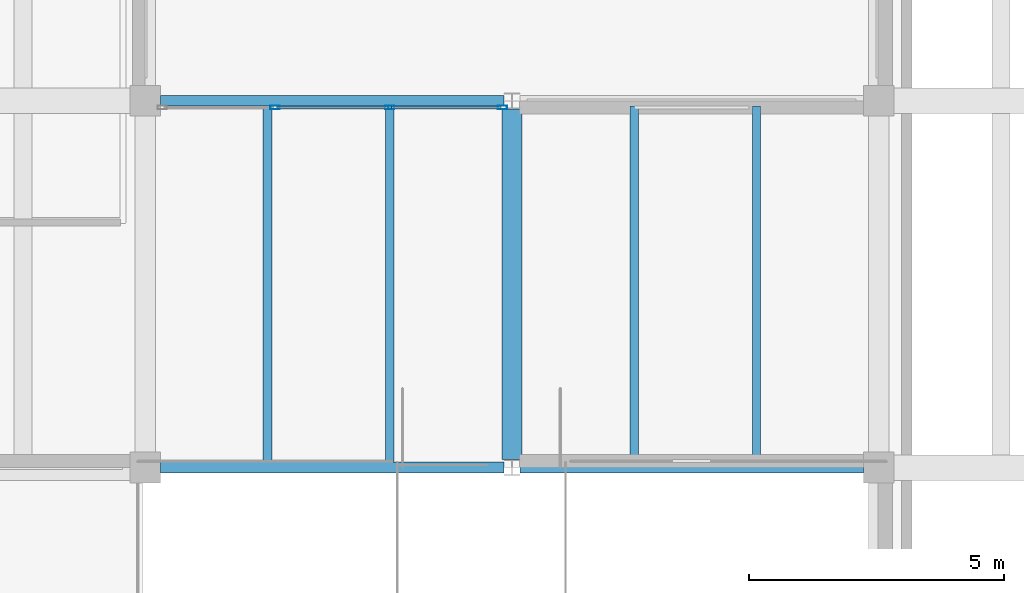
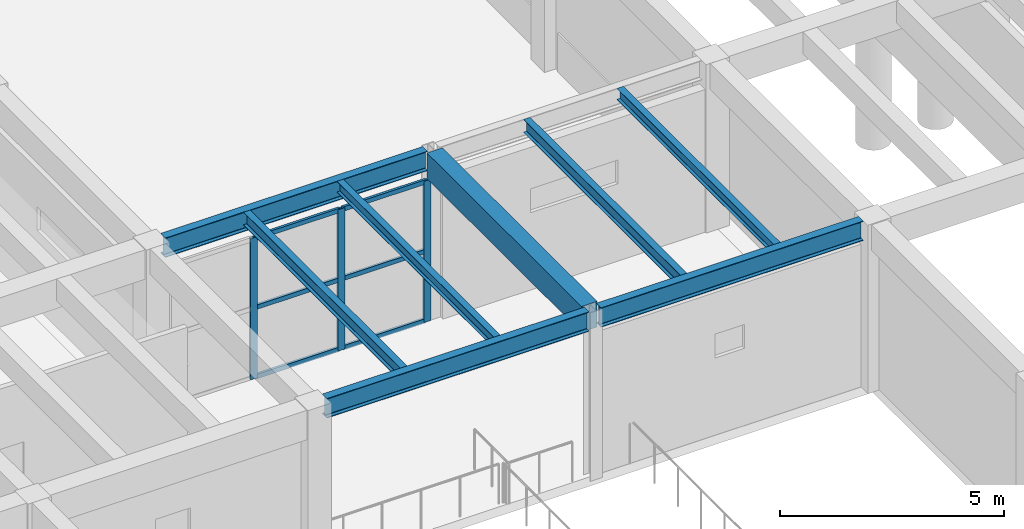
# One storey, part 30 of 155: 9 members, 8 beams, 1 element without a shape of its own.
"""IFC4 building model written with IfcOpenShell, lengths in metres."""

from ifc_helpers import new_model, si_unit, direction, frame, origin, origin_2d, place, context, subcontext, project, spatial, rectangle, hollow_rectangle, i_section, extrude, material, material_profile, profile_set, type_object, element, aggregate, save


model = new_model("IFC4")

# Units and contexts
model_context = context("Model", 3, precision=1e-05, world=origin(), true_north=direction((0.0, 1.0)))
body_context = subcontext(model_context, "Body", "Model", "MODEL_VIEW")
ifc_project = project(units=[si_unit("LENGTHUNIT", "METRE"), si_unit("AREAUNIT", "SQUARE_METRE"), si_unit("VOLUMEUNIT", "CUBIC_METRE"), si_unit("PLANEANGLEUNIT", "RADIAN"), si_unit("MASSUNIT", "GRAM", prefix="KILO")], contexts=[model_context])

# Site, building, storey
site_placement = place(None, origin())
site = spatial("IfcSite", under=ifc_project, at=site_placement, CompositionType="ELEMENT")
building_placement = place(site_placement, origin())
building = spatial("IfcBuilding", under=site, at=building_placement, Name="Bramvelor Terrace Health Centre", CompositionType="ELEMENT")
storey_placement = place(building_placement, origin())
storey = spatial("IfcBuildingStorey", under=building, at=storey_placement, Name="L01", CompositionType="ELEMENT", Elevation=0.0)

# Beams
ifc_material_1 = material(Name="Concrete C40/50", Category="concrete")
ifc_material_profile_1 = material_profile(ifc_material_1, rectangle(XDim=0.39990234375, YDim=0.699951171875, at=origin_2d()), Name="RC 400x700")
ifc_profile_set_1 = profile_set([ifc_material_profile_1], Name="Concrete C40/50")
beam_type_1 = type_object("IfcBeamType", Name="BM-RC-G700", PredefinedType="BEAM", material=ifc_profile_set_1)
beam_placement = place(storey_placement, frame((36.0, 50.55712890625, 4.22998046875), z_axis=(0.0, 1.0, 0.0), x_axis=(-1.0, 0.0, 0.0)))
element("IfcBeam", 1, at=beam_placement, inside=storey, type_object=beam_type_1, Name="L01 Floor Girder", PredefinedType="BEAM", context=body_context, shape_type="SweptSolid", body=[
    extrude(rectangle(XDim=0.39990234375, YDim=0.699951171875, at=origin_2d()), origin(), (0.0, 0.0, 1.0), 6.8857421875),
])
ifc_material_2 = material(Name="Steel S355J2", Category="steel")
ifc_material_profile_2 = material_profile(ifc_material_2, i_section(OverallWidth=0.1650390625, OverallDepth=0.303466796875, WebThickness=0.006103515625, FlangeThickness=0.01025390625, FilletRadius=0.0087890625, at=origin_2d()), Name="UB 305x165x40")
ifc_profile_set_2 = profile_set([ifc_material_profile_2], Name="Steel S355J2")
beam_type_2 = type_object("IfcBeamType", Name="BM-STL-UB305", PredefinedType="JOIST", material=ifc_profile_set_2)
for number, where, z_axis, x_axis, name in (
    (2, (33.60009765625, 50.504638671875, 4.42822265625), (0.0, 1.0, 0.0), (-1.0, 0.0, 0.0), "L01 Secondary Floor Joist"),
    (3, (40.800048828125, 50.504638671875, 4.42822265625), (0.0, 1.0, 0.0), (-1.0, 0.0, 0.0), "L01 Secondary Floor Joist"),
):
    element("IfcBeam", number, at=place(storey_placement, frame(where, z_axis=z_axis, x_axis=x_axis)), inside=storey, type_object=beam_type_2, Name=name, PredefinedType="JOIST", context=body_context, shape_type="SweptSolid", body=[
        extrude(i_section(OverallWidth=0.1650390625, OverallDepth=0.303466796875, WebThickness=0.006103515625, FlangeThickness=0.01025390625, FilletRadius=0.0087890625, at=origin_2d()), origin(), (0.0, 0.0, 1.0), 6.99072265625),
    ])
ifc_material_3 = material(Name="Steel S355J2", Category="steel")
ifc_material_profile_3 = material_profile(ifc_material_3, i_section(OverallWidth=0.17138671875, OverallDepth=0.35498046875, WebThickness=0.00732421875, FlangeThickness=0.011474609375, FilletRadius=0.01025390625, at=origin_2d()), Name="UB 356x171x51")
ifc_profile_set_3 = profile_set([ifc_material_profile_3], Name="Steel S355J2")
beam_type_3 = type_object("IfcBeamType", Name="BM-STL-UB356", PredefinedType="JOIST", material=ifc_profile_set_3)
for number, where, z_axis, x_axis, name in (
    (4, (31.199951171875, 50.504638671875, 4.402587890625), (0.0, 1.0, 0.0), (-1.0, 0.0, 0.0), "L01 Secondary Floor Joist"),
    (5, (38.39990234375, 50.504638671875, 4.402587890625), (0.0, 1.0, 0.0), (-1.0, 0.0, 0.0), "L01 Secondary Floor Joist"),
):
    element("IfcBeam", number, at=place(storey_placement, frame(where, z_axis=z_axis, x_axis=x_axis)), inside=storey, type_object=beam_type_3, Name=name, PredefinedType="JOIST", context=body_context, shape_type="SweptSolid", body=[
        extrude(i_section(OverallWidth=0.17138671875, OverallDepth=0.35498046875, WebThickness=0.00732421875, FlangeThickness=0.011474609375, FilletRadius=0.01025390625, at=origin_2d()), origin(), (0.0, 0.0, 1.0), 6.99072265625),
    ])
ifc_material_4 = material(Name="Steel S355J2", Category="steel")
ifc_material_profile_4 = material_profile(ifc_material_4, i_section(OverallWidth=0.209228515625, OverallDepth=0.533203125, WebThickness=0.010009765625, FlangeThickness=0.015625, FilletRadius=0.0126953125, at=origin_2d()), Name="UB 533x210x92")
ifc_profile_set_4 = profile_set([ifc_material_profile_4], Name="Steel S355J2")
beam_type_4 = type_object("IfcBeamType", Name="BM-STL-UB533", PredefinedType="BEAM", material=ifc_profile_set_4)
for number, where, z_axis, x_axis, name in (
    (6, (29.10009765625, 50.39990234375, 4.3134765625), (1.0, 0.0, 0.0), (0.0, 1.0, 0.0), "L01 Floor Girder"),
    (7, (29.10009765625, 57.60009765625, 4.3134765625), (1.0, 0.0, 0.0), (0.0, 1.0, 0.0), "L01 Floor Girder"),
    (8, (36.15380859375, 50.39990234375, 4.3134765625), (1.0, 0.0, 0.0), (0.0, 1.0, 0.0), "L01 Floor Girder"),
):
    element("IfcBeam", number, at=place(storey_placement, frame(where, z_axis=z_axis, x_axis=x_axis)), inside=storey, type_object=beam_type_4, Name=name, PredefinedType="BEAM", context=body_context, shape_type="SweptSolid", body=[
        extrude(i_section(OverallWidth=0.209228515625, OverallDepth=0.533203125, WebThickness=0.010009765625, FlangeThickness=0.015625, FilletRadius=0.0126953125, at=origin_2d()), origin(), (0.0, 0.0, 1.0), 6.74609375),
    ])

# Curtain wall, members
ifc_material_5 = material(Name="Anodized aluminium and double low-E glass", Category="aluminium")
curtain_wall_type = type_object("IfcCurtainWallType", Name="CW-SYS-04", PredefinedType="NOTDEFINED", material=ifc_material_5)
curtain_wall_placement = place(storey_placement, origin())
curtain_wall = element("IfcCurtainWall", 9, at=curtain_wall_placement, inside=storey, type_object=curtain_wall_type, Name="L01 Unitized Curtain Wall 11", PredefinedType="NOTDEFINED")
ifc_material_6 = material(Name="Anodized aluminium 6063-T6", Category="aluminium")
ifc_material_profile_5 = material_profile(ifc_material_6, hollow_rectangle(XDim=0.074951171875, YDim=0.179931640625, WallThickness=0.00341796875, at=origin_2d()), Name="ALU-MUL 75x180x3.5")
ifc_profile_set_5 = profile_set([ifc_material_profile_5], Name="Anodized aluminium 6063-T6")
member_type_1 = type_object("IfcMemberType", Name="CW-MUL-65x180", PredefinedType="MULLION", material=ifc_profile_set_5)
member_1_placement = place(storey_placement, frame((31.34716796875, 57.469970703125, 0.0), z_axis=(0.0, 0.0, 1.0), x_axis=(0.0, 1.0, 0.0)))
member_1 = element("IfcMember", 10, at=member_1_placement, type_object=member_type_1, Name="CW-04 mullion 2", PredefinedType="MULLION", context=body_context, shape_type="SweptSolid", body=[
    extrude(hollow_rectangle(XDim=0.074951171875, YDim=0.179931640625, WallThickness=0.00341796875, at=origin_2d()), origin(), (0.0, 0.0, 1.0), 3.840087890625),
])
member_2_placement = place(storey_placement, frame((33.59912109375, 57.469970703125, 0.0), z_axis=(0.0, 0.0, 1.0), x_axis=(0.0, 1.0, 0.0)))
member_2 = element("IfcMember", 11, at=member_2_placement, type_object=member_type_1, Name="CW-04 mullion 3", PredefinedType="MULLION", context=body_context, shape_type="SweptSolid", body=[
    extrude(hollow_rectangle(XDim=0.074951171875, YDim=0.179931640625, WallThickness=0.00341796875, at=origin_2d()), origin(), (0.0, 0.0, 1.0), 3.840087890625),
])
member_3_placement = place(storey_placement, frame((35.813720703125, 57.469970703125, 0.0), z_axis=(0.0, 0.0, 1.0), x_axis=(0.0, 1.0, 0.0)))
member_3 = element("IfcMember", 12, at=member_3_placement, type_object=member_type_1, Name="CW-04 mullion 4", PredefinedType="MULLION", context=body_context, shape_type="SweptSolid", body=[
    extrude(hollow_rectangle(XDim=0.074951171875, YDim=0.179931640625, WallThickness=0.00341796875, at=origin_2d()), origin(), (0.0, 0.0, 1.0), 3.840087890625),
])
ifc_material_7 = material(Name="Anodized aluminium 6063-T6", Category="aluminium")
ifc_material_profile_6 = material_profile(ifc_material_7, hollow_rectangle(XDim=0.06494140625, YDim=0.1201171875, WallThickness=0.0029296875, at=origin_2d()), Name="ALU-TRN 65x120x3.0")
ifc_profile_set_6 = profile_set([ifc_material_profile_6], Name="Anodized aluminium 6063-T6")
member_type_2 = type_object("IfcMemberType", Name="CW-TRN-65x150", PredefinedType="USERDEFINED", material=ifc_profile_set_6)
member_4_placement = place(storey_placement, frame((31.384521484375, 57.469970703125, 0.032470703125), z_axis=(1.0, 0.0, 0.0), x_axis=(0.0, 1.0, 0.0)))
member_4 = element("IfcMember", 13, at=member_4_placement, type_object=member_type_2, Name="CW-04 transom 2.1", ObjectType="TRANSOM", PredefinedType="USERDEFINED", context=body_context, shape_type="SweptSolid", body=[
    extrude(hollow_rectangle(XDim=0.06494140625, YDim=0.1201171875, WallThickness=0.0029296875, at=origin_2d()), origin(), (0.0, 0.0, 1.0), 2.17724609375),
])
member_5_placement = place(storey_placement, frame((31.384521484375, 57.469970703125, 1.919921875), z_axis=(1.0, 0.0, 0.0), x_axis=(0.0, 1.0, 0.0)))
member_5 = element("IfcMember", 14, at=member_5_placement, type_object=member_type_2, Name="CW-04 transom 2.2", ObjectType="TRANSOM", PredefinedType="USERDEFINED", context=body_context, shape_type="SweptSolid", body=[
    extrude(hollow_rectangle(XDim=0.06494140625, YDim=0.1201171875, WallThickness=0.0029296875, at=origin_2d()), origin(), (0.0, 0.0, 1.0), 2.17724609375),
])
member_6_placement = place(storey_placement, frame((31.384521484375, 57.469970703125, 3.8076171875), z_axis=(1.0, 0.0, 0.0), x_axis=(0.0, 1.0, 0.0)))
member_6 = element("IfcMember", 15, at=member_6_placement, type_object=member_type_2, Name="CW-04 transom 2.3", ObjectType="TRANSOM", PredefinedType="USERDEFINED", context=body_context, shape_type="SweptSolid", body=[
    extrude(hollow_rectangle(XDim=0.06494140625, YDim=0.1201171875, WallThickness=0.0029296875, at=origin_2d()), origin(), (0.0, 0.0, 1.0), 2.17724609375),
])
member_7_placement = place(storey_placement, frame((33.63671875, 57.469970703125, 0.032470703125), z_axis=(1.0, 0.0, 0.0), x_axis=(0.0, 1.0, 0.0)))
member_7 = element("IfcMember", 16, at=member_7_placement, type_object=member_type_2, Name="CW-04 transom 3.1", ObjectType="TRANSOM", PredefinedType="USERDEFINED", context=body_context, shape_type="SweptSolid", body=[
    extrude(hollow_rectangle(XDim=0.06494140625, YDim=0.1201171875, WallThickness=0.0029296875, at=origin_2d()), origin(), (0.0, 0.0, 1.0), 2.1396484375),
])
member_8_placement = place(storey_placement, frame((33.63671875, 57.469970703125, 1.919921875), z_axis=(1.0, 0.0, 0.0), x_axis=(0.0, 1.0, 0.0)))
member_8 = element("IfcMember", 17, at=member_8_placement, type_object=member_type_2, Name="CW-04 transom 3.2", ObjectType="TRANSOM", PredefinedType="USERDEFINED", context=body_context, shape_type="SweptSolid", body=[
    extrude(hollow_rectangle(XDim=0.06494140625, YDim=0.1201171875, WallThickness=0.0029296875, at=origin_2d()), origin(), (0.0, 0.0, 1.0), 2.1396484375),
])
member_9_placement = place(storey_placement, frame((33.63671875, 57.469970703125, 3.8076171875), z_axis=(1.0, 0.0, 0.0), x_axis=(0.0, 1.0, 0.0)))
member_9 = element("IfcMember", 18, at=member_9_placement, type_object=member_type_2, Name="CW-04 transom 3.3", ObjectType="TRANSOM", PredefinedType="USERDEFINED", context=body_context, shape_type="SweptSolid", body=[
    extrude(hollow_rectangle(XDim=0.06494140625, YDim=0.1201171875, WallThickness=0.0029296875, at=origin_2d()), origin(), (0.0, 0.0, 1.0), 2.1396484375),
])
aggregate(curtain_wall, [member_1, member_2, member_3, member_4, member_5, member_6, member_7, member_8, member_9])

save(model, "model.ifc")
